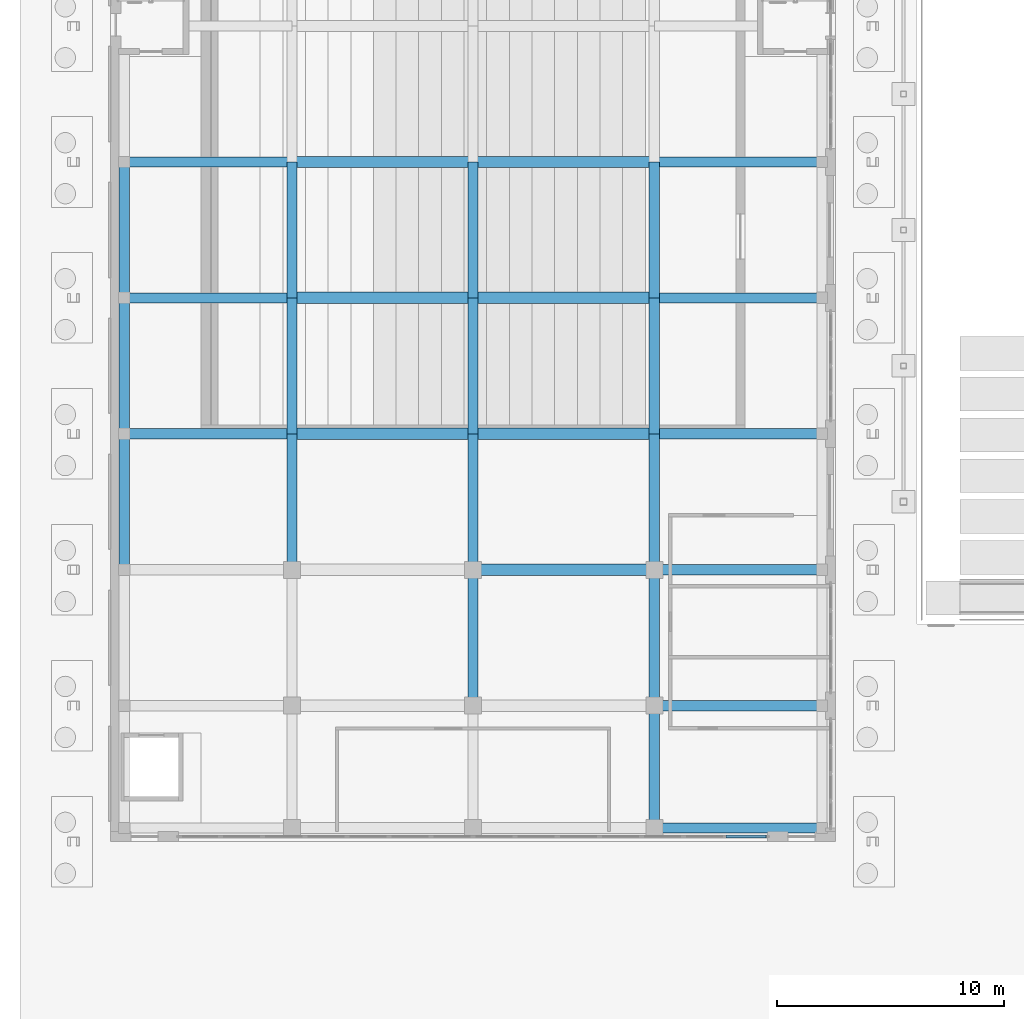
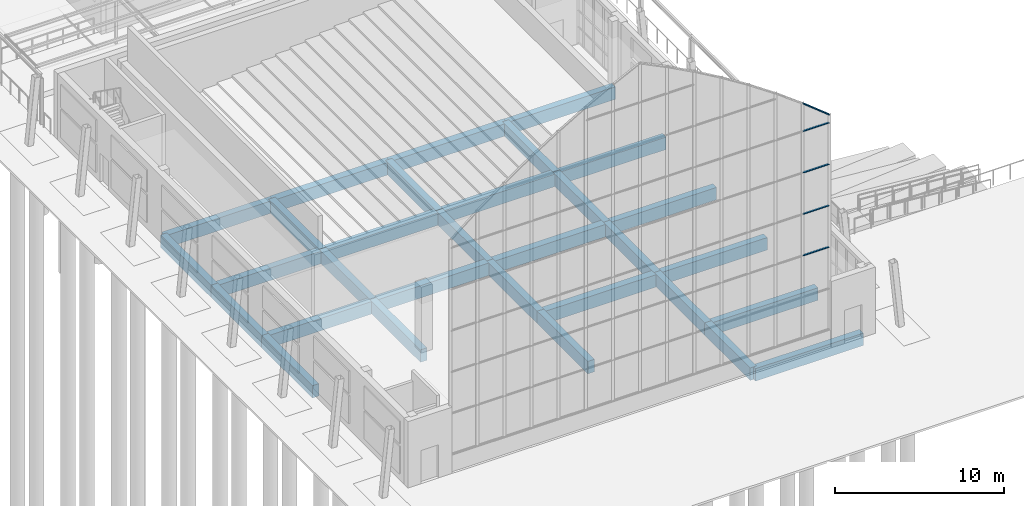
# One storey, part 27 of 144: 31 beams, 5 members, 1 element without a shape of its own.
"""IFC4 building model written with IfcOpenShell, lengths in metres."""

from ifc_helpers import new_model, si_unit, direction, frame, origin, origin_2d, place, context, subcontext, project, spatial, rectangle, extrude, material, layer, layer_set, material_profile, profile_set, type_object, element, aggregate, save


model = new_model("IFC4")

# Units and contexts
model_context = context("Model", 3, precision=1e-05, world=origin(), true_north=direction((0.0, 1.0)))
body_context = subcontext(model_context, "Body", "Model", "MODEL_VIEW")
ifc_project = project(units=[si_unit("LENGTHUNIT", "METRE"), si_unit("AREAUNIT", "SQUARE_METRE"), si_unit("VOLUMEUNIT", "CUBIC_METRE"), si_unit("PLANEANGLEUNIT", "RADIAN"), si_unit("MASSUNIT", "GRAM", prefix="KILO")], contexts=[model_context])

# Site, building, storey
site_placement = place(None, origin())
site = spatial("IfcSite", under=ifc_project, at=site_placement, CompositionType="ELEMENT")
building_placement = place(site_placement, origin())
building = spatial("IfcBuilding", under=site, at=building_placement, Name="Lantern Court Media Centre", CompositionType="ELEMENT")
storey_placement = place(building_placement, origin())
storey = spatial("IfcBuildingStorey", under=building, at=storey_placement, Name="L00", CompositionType="ELEMENT", Elevation=0.0)

# Curtain wall, members
ifc_material_1 = material(Name="Aluminium and glass", Category="aluminium")
ifc_layer = layer(ifc_material_1, 0.14990234375)
ifc_layer_set = layer_set([ifc_layer], Name="Aluminium and glass")
curtain_wall_type = type_object("IfcCurtainWallType", Name="Hall lancet glazing", PredefinedType="NOTDEFINED", material=ifc_layer_set)
curtain_wall_placement = place(storey_placement, origin())
curtain_wall = element("IfcCurtainWall", 1, at=curtain_wall_placement, inside=storey, type_object=curtain_wall_type, Name="Cinema Hall HCW-V10 glazing", PredefinedType="NOTDEFINED")
ifc_material_2 = material(Name="Aluminium, anodised", Category="aluminium")
ifc_material_profile_1 = material_profile(ifc_material_2, rectangle(XDim=0.1201171875, YDim=0.06005859375, at=origin_2d()), Name="HT")
ifc_profile_set_1 = profile_set([ifc_material_profile_1], Name="Aluminium, anodised")
member_type = type_object("IfcMemberType", Name="HT", PredefinedType="USERDEFINED", material=ifc_profile_set_1)
member_1_placement = place(storey_placement, frame((27.1728515625, -1.77490234375, 7.199951171875), z_axis=(1.0, 0.0, 0.0), x_axis=(0.0, 1.0, 0.0)))
member_1 = element("IfcMember", 2, at=member_1_placement, type_object=member_type, Name="HCW-V10 transom 14.3", ObjectType="TRANSOM", PredefinedType="USERDEFINED", context=body_context, shape_type="SweptSolid", body=[
    extrude(rectangle(XDim=0.1201171875, YDim=0.06005859375, at=origin_2d()), origin(), (0.0, 0.0, 1.0), 1.76708984375),
])
member_2_placement = place(storey_placement, frame((27.1728515625, -1.77490234375, 10.199951171875), z_axis=(1.0, 0.0, 0.0), x_axis=(0.0, 1.0, 0.0)))
member_2 = element("IfcMember", 3, at=member_2_placement, type_object=member_type, Name="HCW-V10 transom 14.4", ObjectType="TRANSOM", PredefinedType="USERDEFINED", context=body_context, shape_type="SweptSolid", body=[
    extrude(rectangle(XDim=0.1201171875, YDim=0.06005859375, at=origin_2d()), origin(), (0.0, 0.0, 1.0), 1.76708984375),
])
member_3_placement = place(storey_placement, frame((27.1728515625, -1.77490234375, 13.199951171875), z_axis=(1.0, 0.0, 0.0), x_axis=(0.0, 1.0, 0.0)))
member_3 = element("IfcMember", 4, at=member_3_placement, type_object=member_type, Name="HCW-V10 transom 14.5", ObjectType="TRANSOM", PredefinedType="USERDEFINED", context=body_context, shape_type="SweptSolid", body=[
    extrude(rectangle(XDim=0.1201171875, YDim=0.06005859375, at=origin_2d()), origin(), (0.0, 0.0, 1.0), 1.76708984375),
])
member_4_placement = place(storey_placement, frame((27.1728515625, -1.77490234375, 16.199951171875), z_axis=(1.0, 0.0, 0.0), x_axis=(0.0, 1.0, 0.0)))
member_4 = element("IfcMember", 5, at=member_4_placement, type_object=member_type, Name="HCW-V10 transom 14.6", ObjectType="TRANSOM", PredefinedType="USERDEFINED", context=body_context, shape_type="SweptSolid", body=[
    extrude(rectangle(XDim=0.1201171875, YDim=0.06005859375, at=origin_2d()), origin(), (0.0, 0.0, 1.0), 1.76708984375),
])
member_5_placement = place(storey_placement, frame((27.1728515625, -1.77490234375, 18.203125), z_axis=(0.779154016633, 0.0, -0.626832528164), x_axis=(0.0, 1.0, 0.0)))
member_5 = element("IfcMember", 6, at=member_5_placement, type_object=member_type, Name="HCW-V10 head member 14", ObjectType="TRANSOM", PredefinedType="USERDEFINED", context=body_context, shape_type="SweptSolid", body=[
    extrude(rectangle(XDim=0.1201171875, YDim=0.06005859375, at=origin_2d()), origin(), (0.0, 0.0, 1.0), 2.26806640625),
])
aggregate(curtain_wall, [member_1, member_2, member_3, member_4, member_5])

# Beams
ifc_material_3 = material(Name="Concrete C35", Category="concrete")
ifc_material_profile_2 = material_profile(ifc_material_3, rectangle(XDim=0.449951171875, YDim=0.89990234375, at=origin_2d()), Name="RC 450x900")
ifc_profile_set_2 = profile_set([ifc_material_profile_2], Name="Concrete C35")
beam_type_1 = type_object("IfcBeamType", Name="RC BEAM 450x900", PredefinedType="BEAM", material=ifc_profile_set_2)
for number, where, z_axis, x_axis, name in (
    (7, (24.0, -1.39990234375, -0.449951171875), (1.0, 0.0, 0.0), (0.0, 1.0, 0.0), "HB-V1-L00-PX0-3"),
    (8, (24.0, 4.0, -0.449951171875), (1.0, 0.0, 0.0), (0.0, 1.0, 0.0), "HB-V1-L00-PX1-3"),
    (9, (24.0, 10.0, -0.449951171875), (1.0, 0.0, 0.0), (0.0, 1.0, 0.0), "HB-V1-L00-PX2-3"),
    (10, (0.60009765625, 16.0, -0.449951171875), (1.0, 0.0, 0.0), (0.0, 1.0, 0.0), "HB-V1-L00-PX3-0"),
    (11, (24.0, 16.0, -0.449951171875), (1.0, 0.0, 0.0), (0.0, 1.0, 0.0), "HB-V1-L00-PX3-3"),
    (12, (0.60009765625, 22.0, -0.449951171875), (1.0, 0.0, 0.0), (0.0, 1.0, 0.0), "HB-V1-L00-PX4-0"),
    (13, (24.0, 22.0, -0.449951171875), (1.0, 0.0, 0.0), (0.0, 1.0, 0.0), "HB-V1-L00-PX4-3"),
    (14, (0.60009765625, 28.0, -0.449951171875), (1.0, 0.0, 0.0), (0.0, 1.0, 0.0), "HB-V1-L00-PX5-0"),
    (15, (24.0, 28.0, -0.449951171875), (1.0, 0.0, 0.0), (0.0, 1.0, 0.0), "HB-V1-L00-PX5-3"),
):
    element("IfcBeam", number, at=place(storey_placement, frame(where, z_axis=z_axis, x_axis=x_axis)), inside=storey, type_object=beam_type_1, Name=name, PredefinedType="BEAM", context=body_context, shape_type="SweptSolid", body=[
        extrude(rectangle(XDim=0.449951171875, YDim=0.89990234375, at=origin_2d()), origin(), (0.0, 0.0, 1.0), 7.39990234375),
    ])
for number, where, z_axis, x_axis, name in (
    (16, (0.60009765625, 10.0, -0.449951171875), (0.0, 1.0, 0.0), (-1.0, 0.0, 0.0), "HB-V1-L00-PY0-2"),
    (17, (0.60009765625, 16.0, -0.449951171875), (0.0, 1.0, 0.0), (-1.0, 0.0, 0.0), "HB-V1-L00-PY0-3"),
    (18, (0.60009765625, 22.0, -0.449951171875), (0.0, 1.0, 0.0), (-1.0, 0.0, 0.0), "HB-V1-L00-PY0-4"),
    (19, (8.0, 10.0, -0.449951171875), (0.0, 1.0, 0.0), (-1.0, 0.0, 0.0), "HB-V1-L00-PY1-2"),
    (20, (8.0, 16.0, -0.449951171875), (0.0, 1.0, 0.0), (-1.0, 0.0, 0.0), "HB-V1-L00-PY1-3"),
    (21, (8.0, 22.0, -0.449951171875), (0.0, 1.0, 0.0), (-1.0, 0.0, 0.0), "HB-V1-L00-PY1-4"),
    (22, (16.0, 4.0, -0.449951171875), (0.0, 1.0, 0.0), (-1.0, 0.0, 0.0), "HB-V1-L00-PY2-1"),
    (23, (16.0, 10.0, -0.449951171875), (0.0, 1.0, 0.0), (-1.0, 0.0, 0.0), "HB-V1-L00-PY2-2"),
    (24, (16.0, 16.0, -0.449951171875), (0.0, 1.0, 0.0), (-1.0, 0.0, 0.0), "HB-V1-L00-PY2-3"),
    (25, (16.0, 22.0, -0.449951171875), (0.0, 1.0, 0.0), (-1.0, 0.0, 0.0), "HB-V1-L00-PY2-4"),
):
    element("IfcBeam", number, at=place(storey_placement, frame(where, z_axis=z_axis, x_axis=x_axis)), inside=storey, type_object=beam_type_1, Name=name, PredefinedType="BEAM", context=body_context, shape_type="SweptSolid", body=[
        extrude(rectangle(XDim=0.449951171875, YDim=0.89990234375, at=origin_2d()), origin(), (0.0, 0.0, 1.0), 6.0),
    ])
beam_placement = place(storey_placement, frame((24.0, -1.39990234375, -0.449951171875), z_axis=(0.0, 1.0, 0.0), x_axis=(-1.0, 0.0, 0.0)))
element("IfcBeam", 26, at=beam_placement, inside=storey, type_object=beam_type_1, Name="HB-V1-L00-PY3-0", PredefinedType="BEAM", context=body_context, shape_type="SweptSolid", body=[
    extrude(rectangle(XDim=0.449951171875, YDim=0.89990234375, at=origin_2d()), origin(), (0.0, 0.0, 1.0), 5.39990234375),
])
for number, where, z_axis, x_axis, name in (
    (27, (24.0, 4.0, -0.449951171875), (0.0, 1.0, 0.0), (-1.0, 0.0, 0.0), "HB-V1-L00-PY3-1"),
    (28, (24.0, 10.0, -0.449951171875), (0.0, 1.0, 0.0), (-1.0, 0.0, 0.0), "HB-V1-L00-PY3-2"),
    (29, (24.0, 16.0, -0.449951171875), (0.0, 1.0, 0.0), (-1.0, 0.0, 0.0), "HB-V1-L00-PY3-3"),
    (30, (24.0, 22.0, -0.449951171875), (0.0, 1.0, 0.0), (-1.0, 0.0, 0.0), "HB-V1-L00-PY3-4"),
):
    element("IfcBeam", number, at=place(storey_placement, frame(where, z_axis=z_axis, x_axis=x_axis)), inside=storey, type_object=beam_type_1, Name=name, PredefinedType="BEAM", context=body_context, shape_type="SweptSolid", body=[
        extrude(rectangle(XDim=0.449951171875, YDim=0.89990234375, at=origin_2d()), origin(), (0.0, 0.0, 1.0), 6.0),
    ])
ifc_material_profile_3 = material_profile(ifc_material_3, rectangle(XDim=0.5, YDim=0.89990234375, at=origin_2d()), Name="RC 500x900")
ifc_profile_set_3 = profile_set([ifc_material_profile_3], Name="Concrete C35")
beam_type_2 = type_object("IfcBeamType", Name="RC BEAM 500x900", PredefinedType="BEAM", material=ifc_profile_set_3)
for number, where, z_axis, x_axis, name in (
    (31, (16.0, 10.0, -0.449951171875), (1.0, 0.0, 0.0), (0.0, 1.0, 0.0), "HB-V1-L00-PX2-2"),
    (32, (8.0, 16.0, -0.449951171875), (1.0, 0.0, 0.0), (0.0, 1.0, 0.0), "HB-V1-L00-PX3-1"),
    (33, (16.0, 16.0, -0.449951171875), (1.0, 0.0, 0.0), (0.0, 1.0, 0.0), "HB-V1-L00-PX3-2"),
    (34, (8.0, 22.0, -0.449951171875), (1.0, 0.0, 0.0), (0.0, 1.0, 0.0), "HB-V1-L00-PX4-1"),
    (35, (16.0, 22.0, -0.449951171875), (1.0, 0.0, 0.0), (0.0, 1.0, 0.0), "HB-V1-L00-PX4-2"),
    (36, (8.0, 28.0, -0.449951171875), (1.0, 0.0, 0.0), (0.0, 1.0, 0.0), "HB-V1-L00-PX5-1"),
    (37, (16.0, 28.0, -0.449951171875), (1.0, 0.0, 0.0), (0.0, 1.0, 0.0), "HB-V1-L00-PX5-2"),
):
    element("IfcBeam", number, at=place(storey_placement, frame(where, z_axis=z_axis, x_axis=x_axis)), inside=storey, type_object=beam_type_2, Name=name, PredefinedType="BEAM", context=body_context, shape_type="SweptSolid", body=[
        extrude(rectangle(XDim=0.5, YDim=0.89990234375, at=origin_2d()), origin(), (0.0, 0.0, 1.0), 8.0),
    ])

save(model, "model.ifc")
